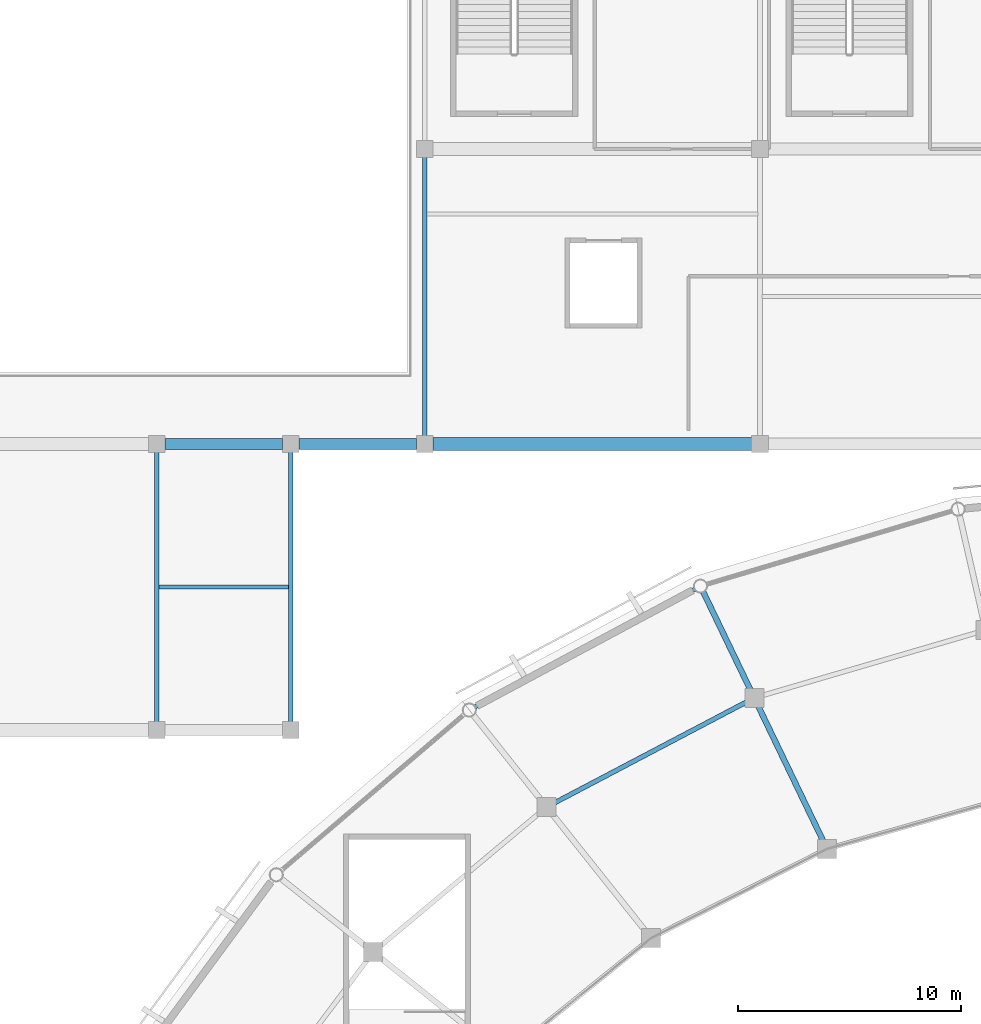
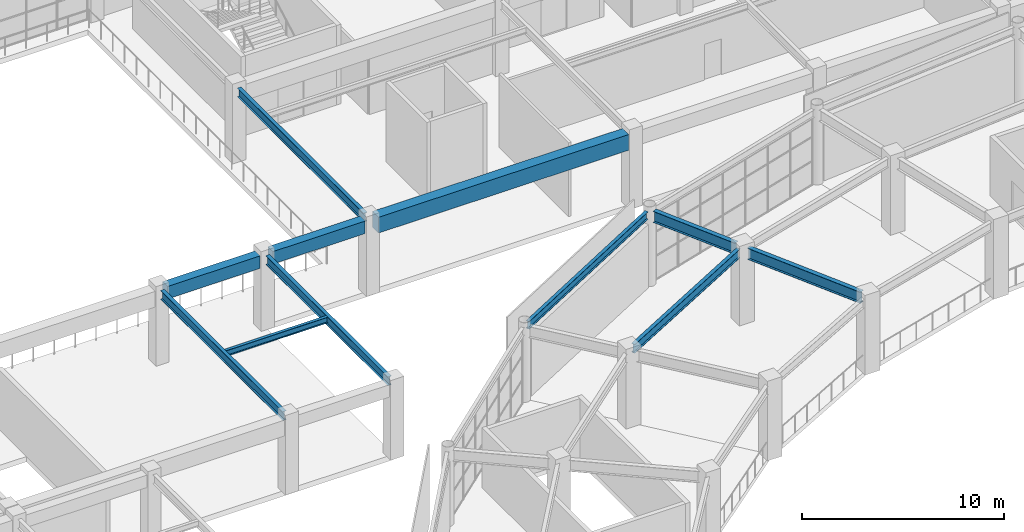
# One storey, part 43 of 112: 11 beams.
"""IFC4 building model written with IfcOpenShell, lengths in metres."""

from ifc_helpers import new_model, si_unit, direction, frame, origin, origin_2d, place, context, subcontext, project, spatial, rectangle, i_section, extrude, material, material_profile, profile_set, type_object, element, save


model = new_model("IFC4")

# Units and contexts
model_context = context("Model", 3, precision=1e-05, world=origin(), true_north=direction((0.0, 1.0)))
body_context = subcontext(model_context, "Body", "Model", "MODEL_VIEW")
ifc_project = project(units=[si_unit("LENGTHUNIT", "METRE"), si_unit("AREAUNIT", "SQUARE_METRE"), si_unit("VOLUMEUNIT", "CUBIC_METRE"), si_unit("PLANEANGLEUNIT", "RADIAN"), si_unit("MASSUNIT", "GRAM", prefix="KILO")], contexts=[model_context])

# Site, building, storey
site_placement = place(None, origin())
site = spatial("IfcSite", under=ifc_project, at=site_placement, CompositionType="ELEMENT")
building_placement = place(site_placement, origin())
building = spatial("IfcBuilding", under=site, at=building_placement, Name="Cuetzalor Civic Arena", CompositionType="ELEMENT")
storey_placement = place(building_placement, frame((0.0, 0.0, 11.39990234375)))
storey = spatial("IfcBuildingStorey", under=building, at=storey_placement, Name="L02", CompositionType="ELEMENT", Elevation=11.39990234375)

# Beams
ifc_material_1 = material(Name="Concrete C40/50", Category="concrete")
ifc_material_profile_1 = material_profile(ifc_material_1, rectangle(XDim=0.5, YDim=0.75, at=origin_2d()), Name="RC 500x750")
ifc_profile_set_1 = profile_set([ifc_material_profile_1], Name="Concrete C40/50")
beam_type_1 = type_object("IfcBeamType", Name="ConcreteFrameBeam_500x750", PredefinedType="BEAM", material=ifc_profile_set_1)
for number, where, z_axis, x_axis, name in (
    (1, (-47.635009765625, 48.300048828125, 4.10498046875), (1.0, 0.0, 0.0), (0.0, 1.0, 0.0), "Frame Girder V5-L02-X0786"),
    (2, (-41.635009765625, 48.300048828125, 4.10498046875), (1.0, 0.0, 0.0), (0.0, 1.0, 0.0), "Frame Girder V5-L02-X0787"),
):
    element("IfcBeam", number, at=place(storey_placement, frame(where, z_axis=z_axis, x_axis=x_axis)), inside=storey, type_object=beam_type_1, Name=name, PredefinedType="BEAM", context=body_context, shape_type="SweptSolid", body=[
        extrude(rectangle(XDim=0.5, YDim=0.75, at=origin_2d()), origin(), (0.0, 0.0, 1.0), 5.27001953125),
    ])
ifc_material_2 = material(Name="Concrete C40/50", Category="concrete")
ifc_material_profile_2 = material_profile(ifc_material_2, rectangle(XDim=0.60009765625, YDim=0.949951171875, at=origin_2d()), Name="RC 600x950")
ifc_profile_set_2 = profile_set([ifc_material_profile_2], Name="Concrete C40/50")
beam_type_2 = type_object("IfcBeamType", Name="ConcreteFrameBeam_600x950", PredefinedType="BEAM", material=ifc_profile_set_2)
beam_1_placement = place(storey_placement, frame((-35.635009765625, 48.300048828125, 4.005126953125), z_axis=(1.0, 0.0, 0.0), x_axis=(0.0, 1.0, 0.0)))
element("IfcBeam", 3, at=beam_1_placement, inside=storey, type_object=beam_type_2, Name="Frame Girder V5-L02-X0788", PredefinedType="BEAM", context=body_context, shape_type="SweptSolid", body=[
    extrude(rectangle(XDim=0.60009765625, YDim=0.949951171875, at=origin_2d()), origin(), (0.0, 0.0, 1.0), 14.27001953125),
])
ifc_material_3 = material(Name="Steel S355", Category="steel")
ifc_material_profile_3 = material_profile(ifc_material_3, i_section(OverallWidth=0.18994140625, OverallDepth=0.45703125, WebThickness=0.009033203125, FlangeThickness=0.014404296875, at=origin_2d()), Name="W460x74")
ifc_profile_set_3 = profile_set([ifc_material_profile_3], Name="Steel S355")
beam_type_3 = type_object("IfcBeamType", Name="FacadeSpandrelBeam_W460", PredefinedType="SPANDREL", material=ifc_profile_set_3)
beam_2_placement = place(storey_placement, frame((-23.924072265625, 41.802978515625, 4.29150390625), z_axis=(-0.881304552514, -0.472548712534, 0.0), x_axis=(0.472548712534, -0.881304552514, 0.0)))
element("IfcBeam", 4, at=beam_2_placement, inside=storey, type_object=beam_type_3, Name="Drum Perimeter Spandrel L02-S10", PredefinedType="SPANDREL", context=body_context, shape_type="SweptSolid", body=[
    extrude(i_section(OverallWidth=0.18994140625, OverallDepth=0.45703125, WebThickness=0.009033203125, FlangeThickness=0.014404296875, at=origin_2d()), origin(), (0.0, 0.0, 1.0), 11.156005859375),
])
ifc_material_4 = material(Name="Steel S355", Category="steel")
ifc_material_profile_4 = material_profile(ifc_material_4, i_section(OverallWidth=0.1708984375, OverallDepth=0.35498046875, WebThickness=0.007080078125, FlangeThickness=0.01171875, at=origin_2d()), Name="W360x51")
ifc_profile_set_4 = profile_set([ifc_material_profile_4], Name="Steel S355")
beam_type_4 = type_object("IfcBeamType", Name="SecondaryFloorJoist_W360", PredefinedType="JOIST", material=ifc_profile_set_4)
beam_3_placement = place(storey_placement, frame((-47.903564453125, 41.89990234375, 4.302490234375), z_axis=(1.0, 0.0, 0.0), x_axis=(0.0, 1.0, 0.0)))
element("IfcBeam", 5, at=beam_3_placement, inside=storey, type_object=beam_type_4, Name="Secondary Floor Joist V5-L02-0246", PredefinedType="JOIST", context=body_context, shape_type="SweptSolid", body=[
    extrude(i_section(OverallWidth=0.1708984375, OverallDepth=0.35498046875, WebThickness=0.007080078125, FlangeThickness=0.01171875, at=origin_2d()), origin(), (0.0, 0.0, 1.0), 5.80712890625),
])
ifc_material_5 = material(Name="Steel S355", Category="steel")
ifc_material_profile_5 = material_profile(ifc_material_5, i_section(OverallWidth=0.208984375, OverallDepth=0.532958984375, WebThickness=0.01025390625, FlangeThickness=0.015625, at=origin_2d()), Name="W530x92")
ifc_profile_set_5 = profile_set([ifc_material_profile_5], Name="Steel S355")
beam_type_5 = type_object("IfcBeamType", Name="SteelCollarGirder_W530", PredefinedType="BEAM", material=ifc_profile_set_5)
beam_4_placement = place(storey_placement, frame((-21.587890625, 36.767578125, 4.253662109375), z_axis=(-0.885117354883, -0.465367884673, 0.0), x_axis=(0.465367884673, -0.885117354883, 0.0)))
element("IfcBeam", 6, at=beam_4_placement, inside=storey, type_object=beam_type_5, Name="Drum Concourse Ring Girder L02-S10", PredefinedType="BEAM", context=body_context, shape_type="SweptSolid", body=[
    extrude(i_section(OverallWidth=0.208984375, OverallDepth=0.532958984375, WebThickness=0.01025390625, FlangeThickness=0.015625, at=origin_2d()), origin(), (0.0, 0.0, 1.0), 9.75634765625),
])
for number, where, z_axis, x_axis, name in (
    (7, (-48.0, 35.864990234375, 4.213623046875), (0.0, 1.0, 0.0), (-1.0, 0.0, 0.0), "Frame Girder V5-L02-Y0826"),
    (8, (-42.0, 35.864990234375, 4.213623046875), (0.0, 1.0, 0.0), (-1.0, 0.0, 0.0), "Frame Girder V5-L02-Y0827"),
):
    element("IfcBeam", number, at=place(storey_placement, frame(where, z_axis=z_axis, x_axis=x_axis)), inside=storey, type_object=beam_type_5, Name=name, PredefinedType="BEAM", context=body_context, shape_type="SweptSolid", body=[
        extrude(i_section(OverallWidth=0.208984375, OverallDepth=0.532958984375, WebThickness=0.01025390625, FlangeThickness=0.015625, at=origin_2d()), origin(), (0.0, 0.0, 1.0), 12.070068359375),
    ])
beam_5_placement = place(storey_placement, frame((-36.0, 48.6650390625, 4.213623046875), z_axis=(0.0, 1.0, 0.0), x_axis=(-1.0, 0.0, 0.0)))
element("IfcBeam", 9, at=beam_5_placement, inside=storey, type_object=beam_type_5, Name="Frame Girder V5-L02-Y0828", PredefinedType="BEAM", context=body_context, shape_type="SweptSolid", body=[
    extrude(i_section(OverallWidth=0.208984375, OverallDepth=0.532958984375, WebThickness=0.01025390625, FlangeThickness=0.015625, at=origin_2d()), origin(), (0.0, 0.0, 1.0), 12.469970703125),
])
ifc_material_6 = material(Name="Steel S355", Category="steel")
ifc_material_profile_6 = material_profile(ifc_material_6, i_section(OverallWidth=0.2529296875, OverallDepth=0.677978515625, WebThickness=0.01171875, FlangeThickness=0.016357421875, at=origin_2d()), Name="W690x125")
ifc_profile_set_6 = profile_set([ifc_material_profile_6], Name="Steel S355")
beam_type_6 = type_object("IfcBeamType", Name="SteelPrimaryGirder_W690", PredefinedType="BEAM", material=ifc_profile_set_6)
beam_6_placement = place(storey_placement, frame((-21.41650390625, 37.263916015625, 4.18115234375), z_axis=(-0.433871046232, 0.900974980364, 0.0), x_axis=(-0.900974980364, -0.433871046232, 0.0)))
element("IfcBeam", 10, at=beam_6_placement, inside=storey, type_object=beam_type_6, Name="Drum Radial Girder L02-R10", PredefinedType="BEAM", context=body_context, shape_type="SweptSolid", body=[
    extrude(i_section(OverallWidth=0.2529296875, OverallDepth=0.677978515625, WebThickness=0.01171875, FlangeThickness=0.016357421875, at=origin_2d()), origin(), (0.0, 0.0, 1.0), 4.89990234375),
])
beam_7_placement = place(storey_placement, frame((-18.162353515625, 30.5068359375, 4.18115234375), z_axis=(-0.433869751452, 0.900975603874, 0.0), x_axis=(-0.900975603874, -0.433869751452, 0.0)))
element("IfcBeam", 11, at=beam_7_placement, inside=storey, type_object=beam_type_6, Name="Drum Inner Radial Girder L02-R10", PredefinedType="BEAM", context=body_context, shape_type="SweptSolid", body=[
    extrude(i_section(OverallWidth=0.2529296875, OverallDepth=0.677978515625, WebThickness=0.01171875, FlangeThickness=0.016357421875, at=origin_2d()), origin(), (0.0, 0.0, 1.0), 6.780029296875),
])

save(model, "model.ifc")
